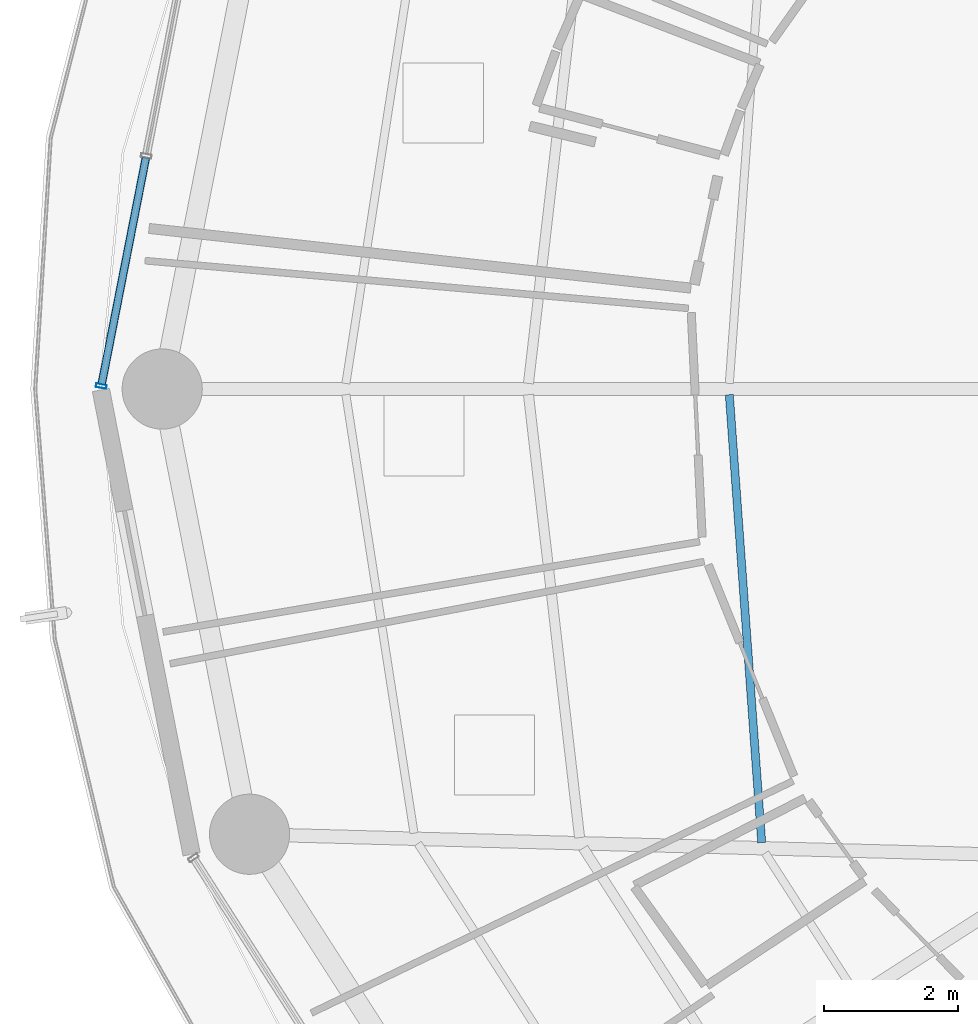
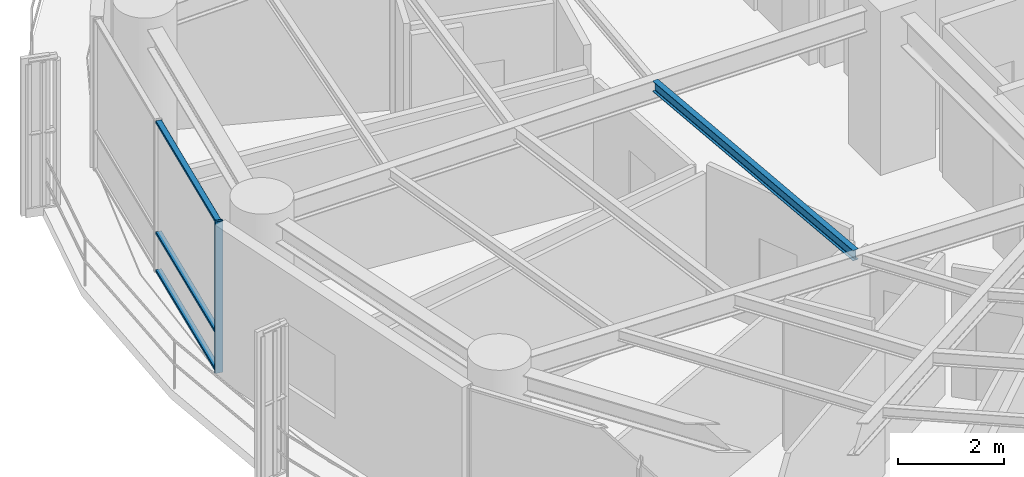
# One storey, part 6 of 28: 4 members, 1 beam, 1 element without a shape of its own.
"""IFC4 building model written with IfcOpenShell, lengths in metres."""

from ifc_helpers import new_model, si_unit, direction, frame, origin, origin_2d, place, context, subcontext, project, spatial, hollow_rectangle, i_section, extrude, material, layer, layer_set, material_profile, profile_set, type_object, element, aggregate, save


model = new_model("IFC4")

# Units and contexts
model_context = context("Model", 3, precision=1e-05, world=origin(), true_north=direction((0.0, 1.0)))
body_context = subcontext(model_context, "Body", "Model", "MODEL_VIEW")
ifc_project = project(units=[si_unit("LENGTHUNIT", "METRE"), si_unit("AREAUNIT", "SQUARE_METRE"), si_unit("VOLUMEUNIT", "CUBIC_METRE"), si_unit("PLANEANGLEUNIT", "RADIAN"), si_unit("MASSUNIT", "GRAM", prefix="KILO")], contexts=[model_context])

# Site, building, storey
site_placement = place(None, origin())
site = spatial("IfcSite", under=ifc_project, at=site_placement, CompositionType="ELEMENT")
building_placement = place(site_placement, origin())
building = spatial("IfcBuilding", under=site, at=building_placement, Name="Kelanora Arch Commons", CompositionType="ELEMENT")
storey_placement = place(building_placement, frame((0.0, 0.0, 161.85009765625)))
storey = spatial("IfcBuildingStorey", under=building, at=storey_placement, Name="L41", CompositionType="ELEMENT", Elevation=161.85009765625)

# Beam
ifc_material_1 = material(Name="Steel S355", Category="steel")
ifc_material_profile_1 = material_profile(ifc_material_1, i_section(OverallWidth=0.1201171875, OverallDepth=0.239990234375, WebThickness=0.006103515625, FlangeThickness=0.009765625, FilletRadius=0.014892578125, at=origin_2d()), Name="IPE240")
ifc_profile_set_1 = profile_set([ifc_material_profile_1], Name="Steel S355")
beam_type = type_object("IfcBeamType", Name="BM-JST-02", PredefinedType="JOIST", material=ifc_profile_set_1)
beam_placement = place(storey_placement, frame((60.8076171875, 57.915283203125, 3.369873046875), z_axis=(0.072117123738, -0.997396170267, 0.0), x_axis=(0.997396170267, 0.072117123738, 0.0)))
element("IfcBeam", 1, at=beam_placement, inside=storey, type_object=beam_type, Name="Secondary Chord Joist BJA-18 L41", PredefinedType="JOIST", context=body_context, shape_type="SweptSolid", body=[
    extrude(i_section(OverallWidth=0.1201171875, OverallDepth=0.239990234375, WebThickness=0.006103515625, FlangeThickness=0.009765625, FilletRadius=0.014892578125, at=origin_2d()), origin(), (0.0, 0.0, 1.0), 6.719970703125),
])

# Curtain wall, members
ifc_material_2 = material(Name="Terracotta ceramic-fritted low-E glass and aluminium", Category="masonry")
ifc_layer = layer(ifc_material_2, 0.175048828125)
ifc_layer_set = layer_set([ifc_layer], Name="Terracotta ceramic-fritted low-E glass and aluminium")
curtain_wall_type = type_object("IfcCurtainWallType", Name="CW-SYS-02", PredefinedType="NOTDEFINED", material=ifc_layer_set)
curtain_wall_placement = place(storey_placement, origin())
curtain_wall = element("IfcCurtainWall", 2, at=curtain_wall_placement, inside=storey, type_object=curtain_wall_type, Name="Unitised Curtain Wall L41-B08", PredefinedType="NOTDEFINED")
ifc_material_3 = material(Name="Powder-coated aluminium terracotta", Category="masonry")
ifc_material_profile_2 = material_profile(ifc_material_3, hollow_rectangle(XDim=0.159912109375, YDim=0.06005859375, WallThickness=0.0048828125, InnerFilletRadius=0.0048828125, OuterFilletRadius=0.010009765625, at=origin_2d()), Name="CWM160x60")
ifc_profile_set_2 = profile_set([ifc_material_profile_2], Name="Powder-coated aluminium terracotta")
member_type_1 = type_object("IfcMemberType", Name="CWM-STD", PredefinedType="MULLION", material=ifc_profile_set_2)
member_1_placement = place(storey_placement, frame((51.40869140625, 58.044189453125, 0.0), z_axis=(0.0, 0.0, 1.0), x_axis=(0.981452557718, -0.191705182375, 0.0)))
member_1 = element("IfcMember", 3, at=member_1_placement, type_object=member_type_1, Name="CW-02 mullion 3", PredefinedType="MULLION", context=body_context, shape_type="SweptSolid", body=[
    extrude(hollow_rectangle(XDim=0.159912109375, YDim=0.06005859375, WallThickness=0.0048828125, InnerFilletRadius=0.0048828125, OuterFilletRadius=0.010009765625, at=origin_2d()), origin(), (0.0, 0.0, 1.0), 3.474853515625),
])
ifc_material_profile_3 = material_profile(ifc_material_3, hollow_rectangle(XDim=0.1201171875, YDim=0.06005859375, WallThickness=0.0048828125, InnerFilletRadius=0.0048828125, OuterFilletRadius=0.010009765625, at=origin_2d()), Name="CWT120x60")
ifc_profile_set_3 = profile_set([ifc_material_profile_3], Name="Powder-coated aluminium terracotta")
member_type_2 = type_object("IfcMemberType", Name="CWT-STD", PredefinedType="USERDEFINED", material=ifc_profile_set_3)
member_2_placement = place(storey_placement, frame((52.07568359375, 61.459228515625, 0.02978515625), z_axis=(-0.191718206447, -0.981450013662, 0.0), x_axis=(0.981450013662, -0.191718206447, 0.0)))
member_2 = element("IfcMember", 4, at=member_2_placement, type_object=member_type_2, Name="CW-02 transom 2.1", ObjectType="TRANSOM", PredefinedType="USERDEFINED", context=body_context, shape_type="SweptSolid", body=[
    extrude(hollow_rectangle(XDim=0.1201171875, YDim=0.06005859375, WallThickness=0.0048828125, InnerFilletRadius=0.0048828125, OuterFilletRadius=0.010009765625, at=origin_2d()), origin(), (0.0, 0.0, 1.0), 3.44970703125),
])
member_3_placement = place(storey_placement, frame((52.07568359375, 61.459228515625, 0.89990234375), z_axis=(-0.191718206447, -0.981450013662, 0.0), x_axis=(0.981450013662, -0.191718206447, 0.0)))
member_3 = element("IfcMember", 5, at=member_3_placement, type_object=member_type_2, Name="CW-02 transom 2.2", ObjectType="TRANSOM", PredefinedType="USERDEFINED", context=body_context, shape_type="SweptSolid", body=[
    extrude(hollow_rectangle(XDim=0.1201171875, YDim=0.06005859375, WallThickness=0.0048828125, InnerFilletRadius=0.0048828125, OuterFilletRadius=0.010009765625, at=origin_2d()), origin(), (0.0, 0.0, 1.0), 3.44970703125),
])
member_4_placement = place(storey_placement, frame((52.07568359375, 61.459228515625, 3.44482421875), z_axis=(-0.191718206447, -0.981450013662, 0.0), x_axis=(0.981450013662, -0.191718206447, 0.0)))
member_4 = element("IfcMember", 6, at=member_4_placement, type_object=member_type_2, Name="CW-02 transom 2.3", ObjectType="TRANSOM", PredefinedType="USERDEFINED", context=body_context, shape_type="SweptSolid", body=[
    extrude(hollow_rectangle(XDim=0.1201171875, YDim=0.06005859375, WallThickness=0.0048828125, InnerFilletRadius=0.0048828125, OuterFilletRadius=0.010009765625, at=origin_2d()), origin(), (0.0, 0.0, 1.0), 3.44970703125),
])
aggregate(curtain_wall, [member_1, member_2, member_3, member_4])

save(model, "model.ifc")
